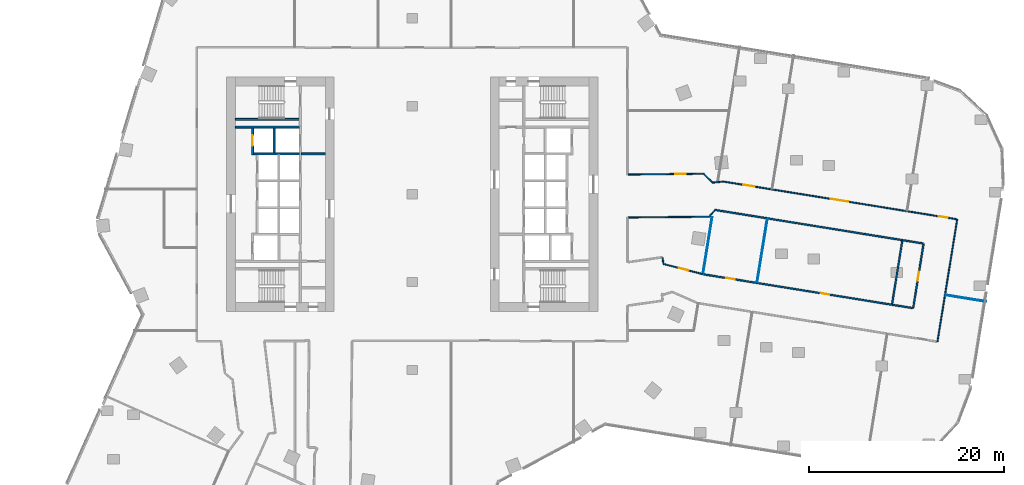
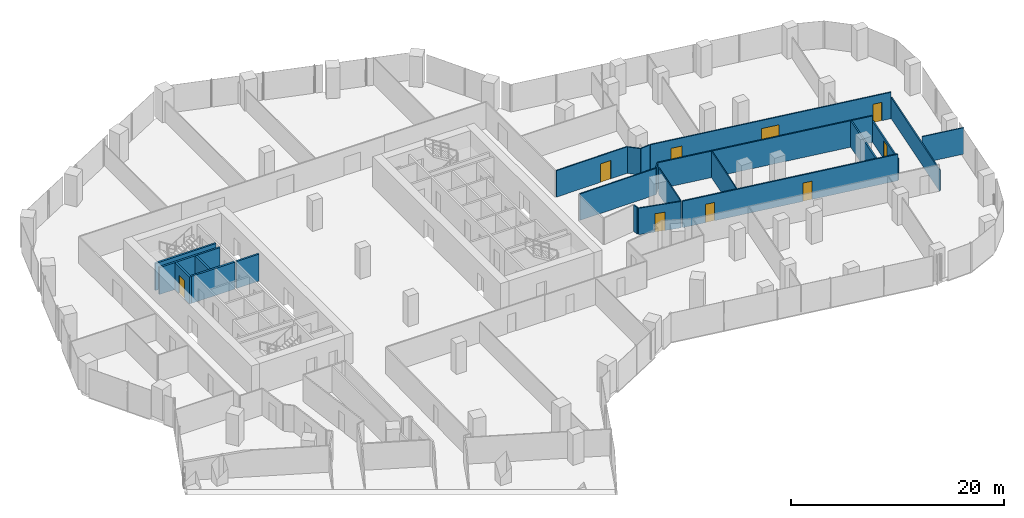
# One storey, part 28 of 34: 22 walls, 9 doors, 9 openings.
"""IFC4 building model written with IfcOpenShell, lengths in metres."""

from ifc_helpers import new_model, si_unit, direction, frame, frame_2d, origin, place, context, subcontext, project, spatial, rectangle, extrude, material, layer, layer_set, type_object, element, fill, save


model = new_model("IFC4")

# Units and contexts
model_context = context("Model", 3, precision=1e-05, world=origin(), true_north=direction((0.0, 1.0)))
body_context = subcontext(model_context, "Body", "Model", "MODEL_VIEW")
ifc_project = project(units=[si_unit("LENGTHUNIT", "METRE"), si_unit("AREAUNIT", "SQUARE_METRE"), si_unit("VOLUMEUNIT", "CUBIC_METRE"), si_unit("PLANEANGLEUNIT", "RADIAN"), si_unit("MASSUNIT", "GRAM", prefix="KILO")], contexts=[model_context])

# Site, building, storey
site_placement = place(None, origin())
site = spatial("IfcSite", under=ifc_project, at=site_placement, CompositionType="ELEMENT")
building_placement = place(site_placement, origin())
building = spatial("IfcBuilding", under=site, at=building_placement, Name="Orlundy Tower", CompositionType="ELEMENT")
storey_placement = place(building_placement, frame((0.0, 0.0, 134.199951171875)))
storey = spatial("IfcBuildingStorey", under=building, at=storey_placement, Name="L34", CompositionType="ELEMENT", Elevation=134.199951171875)

# Walls
ifc_material_1 = material(Name="Gypsum board partition")
ifc_layer_1 = layer(ifc_material_1, 0.10009765625)
ifc_layer_set_1 = layer_set([ifc_layer_1], Name="Floor partition 100")
wall_type_1 = type_object("IfcWallType", Name="Floor partition 100", PredefinedType="PARTITIONING", material=ifc_layer_set_1)
wall_1_placement = place(storey_placement, frame((54.614990234375, -10.33203125, 0.0), z_axis=(0.0, 0.0, 1.0), x_axis=(0.987227218169, -0.15931861067, 0.0)))
element("IfcWall", 1, at=wall_1_placement, inside=storey, type_object=wall_type_1, Name="wall-int-L34-026", PredefinedType="PARTITIONING", context=body_context, shape_type="SweptSolid", body=[
    extrude(rectangle(XDim=4.1865234375, YDim=0.10009765625, at=frame_2d((2.09326171875, 0.0))), origin(), (0.0, 0.0, 1.0), 3.030029296875),
])
wall_2_placement = place(storey_placement, frame((35.31494140625, -9.014892578125, 0.0), z_axis=(0.0, 0.0, 1.0), x_axis=(0.159269947871, 0.987235070135, 0.0)))
element("IfcWall", 2, at=wall_2_placement, inside=storey, type_object=wall_type_1, Name="wall-int-L34-068", PredefinedType="PARTITIONING", context=body_context, shape_type="SweptSolid", body=[
    extrude(rectangle(XDim=6.54833984375, YDim=0.10009765625, at=frame_2d((3.274169921875, 0.0))), origin(), (0.0, 0.0, 1.0), 3.030029296875),
])
wall_3_placement = place(storey_placement, frame((29.76904296875, -8.18994140625, 0.0), z_axis=(0.0, 0.0, 1.0), x_axis=(0.159194698691, 0.987247207091, 0.0)))
element("IfcWall", 3, at=wall_3_placement, inside=storey, type_object=wall_type_1, Name="wall-int-L34-071", PredefinedType="PARTITIONING", context=body_context, shape_type="SweptSolid", body=[
    extrude(rectangle(XDim=5.898193359375, YDim=0.10009765625, at=frame_2d((2.94921875, 0.0))), origin(), (0.0, 0.0, 1.0), 3.030029296875),
])
ifc_material_2 = material(Name="Gypsum board partition, double layer")
ifc_layer_2 = layer(ifc_material_2, 0.125)
ifc_layer_set_2 = layer_set([ifc_layer_2], Name="Floor partition 125")
wall_type_2 = type_object("IfcWallType", Name="Floor partition 125", PredefinedType="PARTITIONING", material=ifc_layer_set_2)
wall_4_placement = place(storey_placement, frame((29.883056640625, 2.02490234375, 0.0), z_axis=(0.0, 0.0, 1.0), x_axis=(0.729202519841, -0.684297950499, 0.0)))
element("IfcWall", 4, at=wall_4_placement, inside=storey, type_object=wall_type_2, Name="wall-int-L34-001", PredefinedType="PARTITIONING", context=body_context, shape_type="SweptSolid", body=[
    extrude(rectangle(XDim=1.228759765625, YDim=0.125, at=frame_2d((0.6142578125, 0.0))), origin(), (0.0, 0.0, 1.0), 3.030029296875),
])
wall_5_placement = place(storey_placement, frame((30.9619140625, -1.677978515625, 0.0), z_axis=(0.0, 0.0, 1.0), x_axis=(-0.66286801914, -0.748736261444, 0.0)))
element("IfcWall", 5, at=wall_5_placement, inside=storey, type_object=wall_type_2, Name="wall-int-L34-002", PredefinedType="PARTITIONING", context=body_context, shape_type="SweptSolid", body=[
    extrude(rectangle(XDim=0.841552734375, YDim=0.125, at=frame_2d((0.4208984375, 0.0))), origin(), (0.0, 0.0, 1.0), 3.030029296875),
])
wall_6_placement = place(storey_placement, frame((25.635009765625, -6.52001953125, 0.0), z_axis=(0.0, 0.0, 1.0), x_axis=(0.141799477861, -0.989895402595, 0.0)))
element("IfcWall", 6, at=wall_6_placement, inside=storey, type_object=wall_type_2, Name="wall-int-L34-007", PredefinedType="PARTITIONING", context=body_context, shape_type="SweptSolid", body=[
    extrude(rectangle(XDim=0.542236328125, YDim=0.125, at=frame_2d((0.27099609375, 0.0))), origin(), (0.0, 0.0, 1.0), 3.030029296875),
])

# Wall, opening, door
wall_7_placement = place(storey_placement, frame((25.72509765625, -7.14990234375, 0.0), z_axis=(0.0, 0.0, 1.0), x_axis=(0.968459487002, -0.249171069821, 0.0)))
wall_7 = element("IfcWall", 7, at=wall_7_placement, inside=storey, type_object=wall_type_2, Name="wall-int-L34-023", PredefinedType="PARTITIONING", context=body_context, shape_type="SweptSolid", body=[
    extrude(rectangle(XDim=4.1259765625, YDim=0.125, at=frame_2d((2.06298828125, 0.0))), origin(), (0.0, 0.0, 1.0), 3.030029296875),
])
opening_1_placement = place(wall_7_placement, frame((1.60009765625, 0.0, 0.0)))
opening_1 = element("IfcOpeningElement", 8, at=opening_1_placement, cuts=wall_7, Name="Opening 26127", PredefinedType="OPENING", context=body_context, shape_type="SweptSolid", body=[
    extrude(rectangle(XDim=1.0, YDim=2.10009765625, at=frame_2d((0.5, 1.050048828125))), frame((0.0, 0.072509765625, 0.0), z_axis=(0.0, -1.0, 0.0), x_axis=(1.0, 0.0, 0.0)), (0.0, 0.0, 1.0), 0.14501953125),
])
ifc_material_3 = material(Name="Timber door leaf", Category="wood")
door_type_1 = type_object("IfcDoorType", Name="Floor door wide 1000 FD30S", OperationType="NOTDEFINED", PredefinedType="DOOR", material=ifc_material_3)
door_1_placement = place(opening_1_placement, origin())
door_1 = element("IfcDoor", 9, at=door_1_placement, inside=storey, type_object=door_type_1, Name="Door 26127", OperationType="SINGLE_SWING_RIGHT", OverallHeight=2.10009765625, OverallWidth=1.0, PredefinedType="DOOR", context=body_context, shape_type="SweptSolid", body=[
    extrude(rectangle(XDim=1.0, YDim=2.10009765625, at=frame_2d((0.5, 1.050048828125))), frame((0.0, 0.02490234375, 0.0), z_axis=(0.0, -1.0, 0.0), x_axis=(1.0, 0.0, 0.0)), (0.0, 0.0, 1.0), 0.050048828125),
])
fill(opening_1, door_1)

# Wall, openings, doors
wall_8_placement = place(storey_placement, frame((31.908935546875, 1.283935546875, 0.0), z_axis=(0.0, 0.0, 1.0), x_axis=(0.987227629246, -0.159316063386, 0.0)))
wall_8 = element("IfcWall", 10, at=wall_8_placement, inside=storey, type_object=wall_type_2, Name="wall-int-L34-028", PredefinedType="PARTITIONING", context=body_context, shape_type="SweptSolid", body=[
    extrude(rectangle(XDim=24.140380859375, YDim=0.125, at=frame_2d((12.0703125, 0.0))), origin(), (0.0, 0.0, 1.0), 3.030029296875),
])
opening_2_placement = place(wall_8_placement, frame((2.03759765625, 0.0, 0.0)))
opening_2 = element("IfcOpeningElement", 11, at=opening_2_placement, cuts=wall_8, Name="Opening 26100", PredefinedType="OPENING", context=body_context, shape_type="SweptSolid", body=[
    extrude(rectangle(XDim=1.10009765625, YDim=2.10009765625, at=frame_2d((0.550048828125, 1.050048828125))), frame((0.0, 0.072509765625, 0.0), z_axis=(0.0, -1.0, 0.0), x_axis=(1.0, 0.0, 0.0)), (0.0, 0.0, 1.0), 0.14501953125),
])
opening_3_placement = place(wall_8_placement, frame((11.103271484375, 0.0, 0.0)))
opening_3 = element("IfcOpeningElement", 12, at=opening_3_placement, cuts=wall_8, Name="Opening 26101", PredefinedType="OPENING", context=body_context, shape_type="SweptSolid", body=[
    extrude(rectangle(XDim=1.800048828125, YDim=2.10009765625, at=frame_2d((0.89990234375, 1.050048828125))), frame((0.0, 0.072509765625, 0.0), z_axis=(0.0, -1.0, 0.0), x_axis=(1.0, 0.0, 0.0)), (0.0, 0.0, 1.0), 0.14501953125),
])
opening_4_placement = place(wall_8_placement, frame((22.302978515625, 0.0, 0.0)))
opening_4 = element("IfcOpeningElement", 13, at=opening_4_placement, cuts=wall_8, Name="Opening 26106", PredefinedType="OPENING", context=body_context, shape_type="SweptSolid", body=[
    extrude(rectangle(XDim=0.89990234375, YDim=2.10009765625, at=frame_2d((0.449951171875, 1.050048828125))), frame((0.0, 0.072509765625, 0.0), z_axis=(0.0, -1.0, 0.0), x_axis=(1.0, 0.0, 0.0)), (0.0, 0.0, 1.0), 0.14501953125),
])
ifc_material_4 = material(Name="Timber door leaf", Category="wood")
door_type_2 = type_object("IfcDoorType", Name="Floor door double 1800 FD30S", OperationType="NOTDEFINED", PredefinedType="DOOR", material=ifc_material_4)
door_2_placement = place(opening_3_placement, origin())
door_2 = element("IfcDoor", 14, at=door_2_placement, inside=storey, type_object=door_type_2, Name="Door 26101", OperationType="DOUBLE_DOOR_SINGLE_SWING", OverallHeight=2.10009765625, OverallWidth=1.800048828125, PredefinedType="DOOR", context=body_context, shape_type="SweptSolid", body=[
    extrude(rectangle(XDim=1.800048828125, YDim=2.10009765625, at=frame_2d((0.89990234375, 1.050048828125))), frame((0.0, 0.02490234375, 0.0), z_axis=(0.0, -1.0, 0.0), x_axis=(1.0, 0.0, 0.0)), (0.0, 0.0, 1.0), 0.050048828125),
])
fill(opening_3, door_2)
ifc_material_5 = material(Name="Timber door leaf", Category="wood")
door_type_3 = type_object("IfcDoorType", Name="Floor door single 900 FD30S", OperationType="NOTDEFINED", PredefinedType="DOOR", material=ifc_material_5)
door_3_placement = place(opening_4_placement, origin())
door_3 = element("IfcDoor", 15, at=door_3_placement, inside=storey, type_object=door_type_3, Name="Door 26106", OperationType="SINGLE_SWING_RIGHT", OverallHeight=2.10009765625, OverallWidth=0.89990234375, PredefinedType="DOOR", context=body_context, shape_type="SweptSolid", body=[
    extrude(rectangle(XDim=0.89990234375, YDim=2.10009765625, at=frame_2d((0.449951171875, 1.050048828125))), frame((0.0, 0.02490234375, 0.0), z_axis=(0.0, -1.0, 0.0), x_axis=(1.0, 0.0, 0.0)), (0.0, 0.0, 1.0), 0.050048828125),
])
fill(opening_4, door_3)
ifc_material_6 = material(Name="Timber door leaf", Category="wood")
door_type_4 = type_object("IfcDoorType", Name="Floor door xwide 1100 FD30S", OperationType="NOTDEFINED", PredefinedType="DOOR", material=ifc_material_6)
door_4_placement = place(opening_2_placement, origin())
door_4 = element("IfcDoor", 16, at=door_4_placement, inside=storey, type_object=door_type_4, Name="Door 26100", OperationType="SINGLE_SWING_LEFT", OverallHeight=2.10009765625, OverallWidth=1.10009765625, PredefinedType="DOOR", context=body_context, shape_type="SweptSolid", body=[
    extrude(rectangle(XDim=1.10009765625, YDim=2.10009765625, at=frame_2d((0.550048828125, 1.050048828125))), frame((0.0, 0.02490234375, 0.0), z_axis=(0.0, -1.0, 0.0), x_axis=(1.0, 0.0, 0.0)), (0.0, 0.0, 1.0), 0.050048828125),
])
fill(opening_2, door_4)

# Wall
wall_9_placement = place(storey_placement, frame((22.113037109375, -2.385986328125, 0.0), z_axis=(0.0, 0.0, 1.0), x_axis=(0.9999558849, 0.009392989614, 0.0)))
element("IfcWall", 17, at=wall_9_placement, inside=storey, type_object=wall_type_2, Name="wall-int-L34-044", PredefinedType="PARTITIONING", context=body_context, shape_type="SweptSolid", body=[
    extrude(rectangle(XDim=8.291259765625, YDim=0.125, at=frame_2d((4.1455078125, 0.0))), origin(), (0.0, 0.0, 1.0), 3.030029296875),
])

# Wall, opening, door
wall_10_placement = place(storey_placement, frame((22.113037109375, 2.014892578125, 0.0), z_axis=(0.0, 0.0, 1.0), x_axis=(0.999954346069, 0.00955540569, 0.0)))
wall_10 = element("IfcWall", 18, at=wall_10_placement, inside=storey, type_object=wall_type_2, Name="wall-int-L34-045", PredefinedType="PARTITIONING", context=body_context, shape_type="SweptSolid", body=[
    extrude(rectangle(XDim=7.76708984375, YDim=0.125, at=frame_2d((3.883544921875, 0.0))), origin(), (0.0, 0.0, 1.0), 3.030029296875),
])
opening_5_placement = place(wall_10_placement, frame((4.815673828125, 0.0, 0.0)))
opening_5 = element("IfcOpeningElement", 19, at=opening_5_placement, cuts=wall_10, Name="Opening 26128", PredefinedType="OPENING", context=body_context, shape_type="SweptSolid", body=[
    extrude(rectangle(XDim=1.10009765625, YDim=2.10009765625, at=frame_2d((0.550048828125, 1.050048828125))), frame((0.0, 0.072509765625, 0.0), z_axis=(0.0, -1.0, 0.0), x_axis=(1.0, 0.0, 0.0)), (0.0, 0.0, 1.0), 0.14501953125),
])
door_5_placement = place(opening_5_placement, origin())
door_5 = element("IfcDoor", 20, at=door_5_placement, inside=storey, type_object=door_type_4, Name="Door 26128", OperationType="SINGLE_SWING_RIGHT", OverallHeight=2.10009765625, OverallWidth=1.10009765625, PredefinedType="DOOR", context=body_context, shape_type="SweptSolid", body=[
    extrude(rectangle(XDim=1.10009765625, YDim=2.10009765625, at=frame_2d((0.550048828125, 1.050048828125))), frame((0.0, 0.02490234375, 0.0), z_axis=(0.0, -1.0, 0.0), x_axis=(1.0, 0.0, 0.0)), (0.0, 0.0, 1.0), 0.050048828125),
])
fill(opening_5, door_5)

# Walls
wall_11_placement = place(storey_placement, frame((31.846923828125, 1.2939453125, 0.0), z_axis=(0.0, 0.0, 1.0), x_axis=(-0.994749429213, -0.102340476256, 0.0)))
element("IfcWall", 21, at=wall_11_placement, inside=storey, type_object=wall_type_2, Name="wall-int-L34-046", PredefinedType="PARTITIONING", context=body_context, shape_type="SweptSolid", body=[
    extrude(rectangle(XDim=1.073486328125, YDim=0.125, at=frame_2d((0.53662109375, 0.0))), origin(), (0.0, 0.0, 1.0), 3.030029296875),
])
ifc_material_7 = material(Name="Gypsum board partition, double layer")
ifc_layer_3 = layer(ifc_material_7, 0.125)
ifc_layer_set_3 = layer_set([ifc_layer_3], Name="Floor partition 125 B")
wall_type_3 = type_object("IfcWallType", Name="Floor partition 125 B", PredefinedType="PARTITIONING", material=ifc_layer_set_3)
wall_12_placement = place(storey_placement, frame((53.780029296875, -15.111083984375, 0.0), z_axis=(0.0, 0.0, 1.0), x_axis=(0.159347260632, 0.987222594215, 0.0)))
element("IfcWall", 22, at=wall_12_placement, inside=storey, type_object=wall_type_3, Name="wall-int-L34-062", PredefinedType="PARTITIONING", context=body_context, shape_type="SweptSolid", body=[
    extrude(rectangle(XDim=12.701416015625, YDim=0.125, at=frame_2d((6.3505859375, 0.0))), origin(), (0.0, 0.0, 1.0), 2.4189453125),
])

# Wall, openings, doors
ifc_material_8 = material(Name="Blockwork shaft wall", Category="masonry")
ifc_layer_4 = layer(ifc_material_8, 0.14990234375)
ifc_layer_set_4 = layer_set([ifc_layer_4], Name="Floor shaft wall 150")
wall_type_4 = type_object("IfcWallType", Name="Floor shaft wall 150", PredefinedType="PARTITIONING", material=ifc_layer_set_4)
wall_13_placement = place(storey_placement, frame((29.885009765625, -8.215087890625, 0.0), z_axis=(0.0, 0.0, 1.0), x_axis=(0.987236652076, -0.1592601419, 0.0)))
wall_13 = element("IfcWall", 23, at=wall_13_placement, inside=storey, type_object=wall_type_4, Name="wall-int-L34-025", PredefinedType="PARTITIONING", context=body_context, shape_type="SweptSolid", body=[
    extrude(rectangle(XDim=21.61181640625, YDim=0.14990234375, at=frame_2d((10.805908203125, 0.0))), origin(), (0.0, 0.0, 1.0), 3.030029296875),
])
opening_6_placement = place(wall_13_placement, frame((2.300048828125, 0.0, 0.0)))
opening_6 = element("IfcOpeningElement", 24, at=opening_6_placement, cuts=wall_13, Name="Opening 26102", PredefinedType="OPENING", context=body_context, shape_type="SweptSolid", body=[
    extrude(rectangle(XDim=0.89990234375, YDim=2.10009765625, at=frame_2d((0.449951171875, 1.050048828125))), frame((0.0, 0.0849609375, 0.0), z_axis=(0.0, -1.0, 0.0), x_axis=(1.0, 0.0, 0.0)), (0.0, 0.0, 1.0), 0.169921875),
])
opening_7_placement = place(wall_13_placement, frame((12.087646484375, 0.0, 0.0)))
opening_7 = element("IfcOpeningElement", 25, at=opening_7_placement, cuts=wall_13, Name="Opening 26103", PredefinedType="OPENING", context=body_context, shape_type="SweptSolid", body=[
    extrude(rectangle(XDim=0.89990234375, YDim=2.10009765625, at=frame_2d((0.449951171875, 1.050048828125))), frame((0.0, 0.0849609375, 0.0), z_axis=(0.0, -1.0, 0.0), x_axis=(1.0, 0.0, 0.0)), (0.0, 0.0, 1.0), 0.169921875),
])
ifc_material_9 = material(Name="Timber door leaf", Category="wood")
door_type_5 = type_object("IfcDoorType", Name="Floor door single 900 FD60", OperationType="NOTDEFINED", PredefinedType="DOOR", material=ifc_material_9)
door_6_placement = place(opening_6_placement, origin())
door_6 = element("IfcDoor", 26, at=door_6_placement, inside=storey, type_object=door_type_5, Name="Door 26102", OperationType="SINGLE_SWING_LEFT", OverallHeight=2.10009765625, OverallWidth=0.89990234375, PredefinedType="DOOR", context=body_context, shape_type="SweptSolid", body=[
    extrude(rectangle(XDim=0.89990234375, YDim=2.10009765625, at=frame_2d((0.449951171875, 1.050048828125))), frame((0.0, 0.02490234375, 0.0), z_axis=(0.0, -1.0, 0.0), x_axis=(1.0, 0.0, 0.0)), (0.0, 0.0, 1.0), 0.050048828125),
])
fill(opening_6, door_6)
door_7_placement = place(opening_7_placement, origin())
door_7 = element("IfcDoor", 27, at=door_7_placement, inside=storey, type_object=door_type_5, Name="Door 26103", OperationType="SINGLE_SWING_RIGHT", OverallHeight=2.10009765625, OverallWidth=0.89990234375, PredefinedType="DOOR", context=body_context, shape_type="SweptSolid", body=[
    extrude(rectangle(XDim=0.89990234375, YDim=2.10009765625, at=frame_2d((0.449951171875, 1.050048828125))), frame((0.0, 0.02490234375, 0.0), z_axis=(0.0, -1.0, 0.0), x_axis=(1.0, 0.0, 0.0)), (0.0, 0.0, 1.0), 0.050048828125),
])
fill(opening_7, door_7)

# Walls
wall_14_placement = place(storey_placement, frame((30.9609375, -1.60302734375, 0.0), z_axis=(0.0, 0.0, 1.0), x_axis=(0.987228625593, -0.159309889241, 0.0)))
element("IfcWall", 28, at=wall_14_placement, inside=storey, type_object=wall_type_4, Name="wall-int-L34-027", PredefinedType="PARTITIONING", context=body_context, shape_type="SweptSolid", body=[
    extrude(rectangle(XDim=21.60498046875, YDim=0.14990234375, at=frame_2d((10.802490234375, 0.0))), origin(), (0.0, 0.0, 1.0), 3.030029296875),
])
wall_15_placement = place(storey_placement, frame((49.135986328125, -11.24609375, 0.0), z_axis=(0.0, 0.0, 1.0), x_axis=(0.159264085933, 0.98723601582, 0.0)))
element("IfcWall", 29, at=wall_15_placement, inside=storey, type_object=wall_type_4, Name="wall-int-L34-065", PredefinedType="PARTITIONING", context=body_context, shape_type="SweptSolid", body=[
    extrude(rectangle(XDim=6.548583984375, YDim=0.14990234375, at=frame_2d((3.2744140625, 0.0))), origin(), (0.0, 0.0, 1.0), 3.030029296875),
])

# Wall, opening, door
ifc_material_10 = material(Name="Blockwork shaft wall", Category="masonry")
ifc_layer_5 = layer(ifc_material_10, 0.14990234375)
ifc_layer_set_5 = layer_set([ifc_layer_5], Name="Floor shaft wall 150 B")
wall_type_5 = type_object("IfcWallType", Name="Floor shaft wall 150 B", PredefinedType="PARTITIONING", material=ifc_layer_set_5)
wall_16_placement = place(storey_placement, frame((51.294921875, -11.669921875, 0.0), z_axis=(0.0, 0.0, 1.0), x_axis=(0.159450148398, 0.987205981635, 0.0)))
wall_16 = element("IfcWall", 30, at=wall_16_placement, inside=storey, type_object=wall_type_5, Name="wall-int-L34-063", PredefinedType="PARTITIONING", context=body_context, shape_type="SweptSolid", body=[
    extrude(rectangle(XDim=6.69873046875, YDim=0.14990234375, at=frame_2d((3.349365234375, 0.0))), origin(), (0.0, 0.0, 1.0), 2.4189453125),
])
opening_8_placement = place(wall_16_placement, frame((2.85009765625, 0.0, 0.0)))
opening_8 = element("IfcOpeningElement", 31, at=opening_8_placement, cuts=wall_16, Name="Opening 26104", PredefinedType="OPENING", context=body_context, shape_type="SweptSolid", body=[
    extrude(rectangle(XDim=0.89990234375, YDim=2.10009765625, at=frame_2d((0.449951171875, 1.050048828125))), frame((0.0, 0.0849609375, 0.0), z_axis=(0.0, -1.0, 0.0), x_axis=(1.0, 0.0, 0.0)), (0.0, 0.0, 1.0), 0.169921875),
])
door_8_placement = place(opening_8_placement, origin())
door_8 = element("IfcDoor", 32, at=door_8_placement, inside=storey, type_object=door_type_5, Name="Door 26104", OperationType="SINGLE_SWING_LEFT", OverallHeight=2.10009765625, OverallWidth=0.89990234375, PredefinedType="DOOR", context=body_context, shape_type="SweptSolid", body=[
    extrude(rectangle(XDim=0.89990234375, YDim=2.10009765625, at=frame_2d((0.449951171875, 1.050048828125))), frame((0.0, 0.02490234375, 0.0), z_axis=(0.0, -1.0, 0.0), x_axis=(1.0, 0.0, 0.0)), (0.0, 0.0, 1.0), 0.050048828125),
])
fill(opening_8, door_8)

# Walls
ifc_material_11 = material(Name="Concrete C40/50", Category="concrete")
ifc_layer_6 = layer(ifc_material_11, 0.199951171875)
ifc_layer_set_6 = layer_set([ifc_layer_6], Name="Load-bearing Shaft Wall 200")
wall_type_6 = type_object("IfcWallType", Name="Load-bearing Shaft Wall 200", PredefinedType="SOLIDWALL", material=ifc_layer_set_6)
wall_17_placement = place(storey_placement, frame((-11.5400390625, 6.875, 0.0), z_axis=(0.0, 0.0, 1.0), x_axis=(-1.0, 0.0, 0.0)))
element("IfcWall", 33, at=wall_17_placement, inside=storey, type_object=wall_type_6, Name="Shaft wall W26-zone-n", PredefinedType="SOLIDWALL", context=body_context, shape_type="SweptSolid", body=[
    extrude(rectangle(XDim=6.56005859375, YDim=0.199951171875, at=frame_2d((3.280029296875, 0.0))), origin(), (0.0, 0.0, 1.0), 3.090087890625),
])
wall_18_placement = place(storey_placement, frame((-11.5400390625, 4.125, 0.0), z_axis=(0.0, 0.0, 1.0), x_axis=(-1.0, 0.0, 0.0)))
element("IfcWall", 34, at=wall_18_placement, inside=storey, type_object=wall_type_6, Name="Shaft wall W26-cross+4.125", PredefinedType="SOLIDWALL", context=body_context, shape_type="SweptSolid", body=[
    extrude(rectangle(XDim=4.699951171875, YDim=0.199951171875, at=frame_2d((2.35009765625, 0.0))), origin(), (0.0, 0.0, 1.0), 3.090087890625),
])
wall_19_placement = place(storey_placement, frame((-14.139892578125, 4.22509765625, 0.0), z_axis=(0.0, 0.0, 1.0), x_axis=(0.0, 1.0, 0.0)))
element("IfcWall", 35, at=wall_19_placement, inside=storey, type_object=wall_type_6, Name="Shaft wall W26-mid-b", PredefinedType="SOLIDWALL", context=body_context, shape_type="SweptSolid", body=[
    extrude(rectangle(XDim=2.5498046875, YDim=0.199951171875, at=frame_2d((1.27490234375, 0.0))), origin(), (0.0, 0.0, 1.0), 3.090087890625),
])

# Wall, opening, door
wall_20_placement = place(storey_placement, frame((-16.340087890625, 4.02490234375, 0.0), z_axis=(0.0, 0.0, 1.0), x_axis=(0.0, 1.0, 0.0)))
wall_20 = element("IfcWall", 36, at=wall_20_placement, inside=storey, type_object=wall_type_6, Name="Shaft wall W26-front-o-c", PredefinedType="SOLIDWALL", context=body_context, shape_type="SweptSolid", body=[
    extrude(rectangle(XDim=2.75, YDim=0.199951171875, at=frame_2d((1.375, 0.0))), origin(), (0.0, 0.0, 1.0), 3.090087890625),
])
opening_9_placement = place(wall_20_placement, frame((0.925048828125, 0.0, 0.0)))
opening_9 = element("IfcOpeningElement", 37, at=opening_9_placement, cuts=wall_20, Name="Opening 26007", PredefinedType="OPENING", context=body_context, shape_type="SweptSolid", body=[
    extrude(rectangle(XDim=1.10009765625, YDim=2.10009765625, at=frame_2d((0.550048828125, 1.050048828125))), frame((0.0, 0.110107421875, 0.0), z_axis=(0.0, -1.0, 0.0), x_axis=(1.0, 0.0, 0.0)), (0.0, 0.0, 1.0), 0.22021484375),
])
ifc_material_12 = material(Name="Steel door set", Category="steel")
door_type_6 = type_object("IfcDoorType", Name="Landing Door 1100x2100", OperationType="DOUBLE_DOOR_SLIDING", PredefinedType="DOOR", material=ifc_material_12)
door_9_placement = place(opening_9_placement, origin())
door_9 = element("IfcDoor", 38, at=door_9_placement, inside=storey, type_object=door_type_6, Name="Lift landing door LP-04 26007", OperationType="DOUBLE_DOOR_SLIDING", OverallHeight=2.10009765625, OverallWidth=1.10009765625, PredefinedType="DOOR", context=body_context, shape_type="SweptSolid", body=[
    extrude(rectangle(XDim=1.10009765625, YDim=2.10009765625, at=frame_2d((0.550048828125, 1.050048828125))), frame((0.0, 0.02490234375, 0.0), z_axis=(0.0, -1.0, 0.0), x_axis=(1.0, 0.0, 0.0)), (0.0, 0.0, 1.0), 0.050048828125),
])
fill(opening_9, door_9)

# Walls
wall_21_placement = place(storey_placement, frame((-11.5400390625, 7.64990234375, 0.0), z_axis=(0.0, 0.0, 1.0), x_axis=(-1.0, 0.0, 0.0)))
element("IfcWall", 39, at=wall_21_placement, inside=storey, type_object=wall_type_6, Name="Shaft wall W26-stair-side-n", PredefinedType="SOLIDWALL", context=body_context, shape_type="SweptSolid", body=[
    extrude(rectangle(XDim=6.56005859375, YDim=0.199951171875, at=frame_2d((3.280029296875, 0.0))), origin(), (0.0, 0.0, 1.0), 3.090087890625),
])
ifc_material_13 = material(Name="Gypsum board partition on steel studs", Category="steel")
ifc_layer_7 = layer(ifc_material_13, 0.199951171875)
ifc_layer_set_7 = layer_set([ifc_layer_7], Name="Partition 200")
wall_type_7 = type_object("IfcWallType", Name="Partition 200", PredefinedType="PARTITIONING", material=ifc_layer_set_7)
wall_22_placement = place(storey_placement, frame((-8.89990234375, 4.125, 0.0), z_axis=(0.0, 0.0, 1.0), x_axis=(-1.0, 0.0, 0.0)))
element("IfcWall", 40, at=wall_22_placement, inside=storey, type_object=wall_type_7, Name="Partition wall W26-lobby-n", PredefinedType="PARTITIONING", context=body_context, shape_type="SweptSolid", body=[
    extrude(rectangle(XDim=2.440185546875, YDim=0.199951171875, at=frame_2d((1.22021484375, 0.0))), origin(), (0.0, 0.0, 1.0), 3.090087890625),
])

save(model, "model.ifc")
